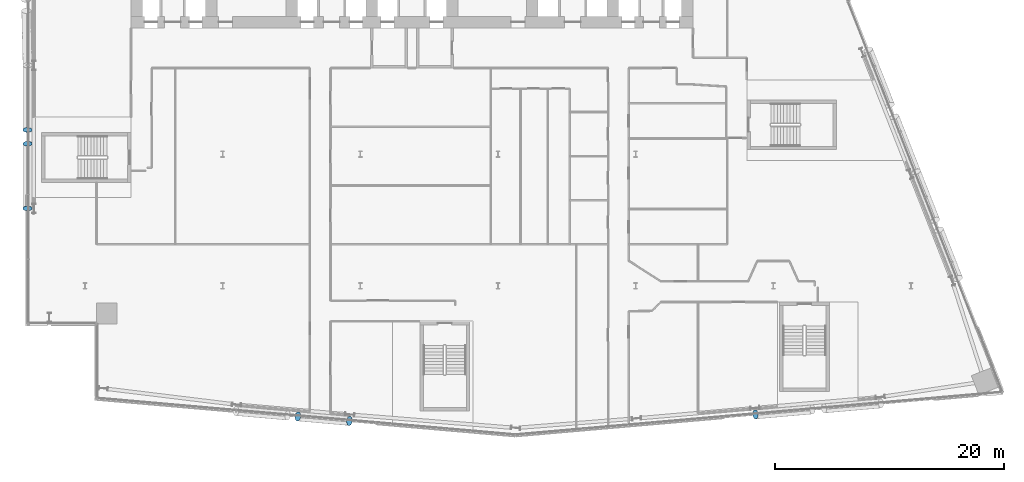
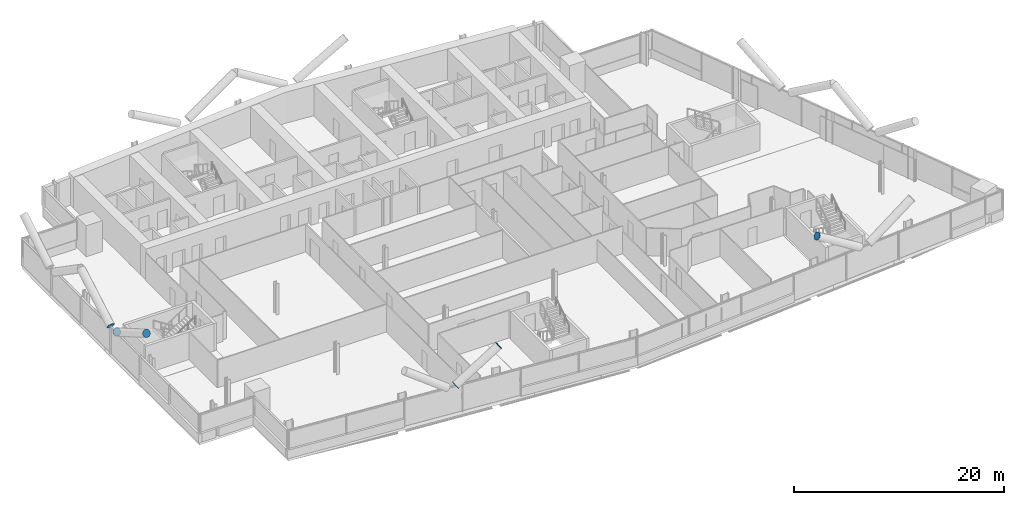
# One storey, part 21 of 27: 6 discrete accessories.
"""IFC4 building model written with IfcOpenShell, lengths in metres."""

from ifc_helpers import new_model, si_unit, direction, frame, origin, origin_2d, place, context, subcontext, project, spatial, circle, extrude, material, material_profile, profile_set, type_object, element, save


model = new_model("IFC4")

# Units and contexts
model_context = context("Model", 3, precision=1e-05, world=origin(), true_north=direction((0.0, 1.0)))
body_context = subcontext(model_context, "Body", "Model", "MODEL_VIEW")
ifc_project = project(units=[si_unit("LENGTHUNIT", "METRE"), si_unit("AREAUNIT", "SQUARE_METRE"), si_unit("VOLUMEUNIT", "CUBIC_METRE"), si_unit("PLANEANGLEUNIT", "RADIAN"), si_unit("MASSUNIT", "GRAM", prefix="KILO")], contexts=[model_context])

# Site, building, storey
site_placement = place(None, origin())
site = spatial("IfcSite", under=ifc_project, at=site_placement, CompositionType="ELEMENT")
building_placement = place(site_placement, origin())
building = spatial("IfcBuilding", under=site, at=building_placement, Name="Wharfspan Tower", CompositionType="ELEMENT")
storey_placement = place(building_placement, frame((0.0, 0.0, 111.100098)))
storey = spatial("IfcBuildingStorey", under=building, at=storey_placement, Name="L25", CompositionType="ELEMENT", Elevation=111.100098)

# Discrete accessories
ifc_material = material(Name="Steel S460NH", Category="steel")
ifc_material_profile = material_profile(ifc_material, circle(Radius=0.406494, at=origin_2d()))
ifc_profile_set = profile_set([ifc_material_profile], Name="Steel S460NH")
discrete_accessory_type = type_object("IfcDiscreteAccessoryType", Name="End plate CHS 813x40", PredefinedType="BRACKET", material=ifc_profile_set)
for number, where, z_axis, x_axis, name in (
    (1, (30.543457, 0.125244, 3.220947), (0.806559, -0.073324, 0.586588), (0.090536, 0.99589, 0.0), "End plate CHS 813x40"),
    (2, (35.040771, -0.268311, 6.5), (0.806559, -0.073324, 0.586588), (0.090536, 0.99589, 0.0), "End plate CHS 813x40"),
    (3, (70.452393, 0.299805, 6.5), (-0.837276, -0.073877, 0.541767), (0.087893, -0.996132, -1e-06), "End plate CHS 813x40"),
    (4, (6.985107, 23.902588, 3.244873), (0.0, -0.857493, 0.514496), (1.0, 0.0, 0.0), "End plate CHS 813x40"),
):
    element("IfcDiscreteAccessory", number, at=place(storey_placement, frame(where, z_axis=z_axis, x_axis=x_axis)), inside=storey, type_object=discrete_accessory_type, Name=name, PredefinedType="BRACKET", context=body_context, shape_type="SweptSolid", body=[
        extrude(circle(Radius=0.406494, at=origin_2d()), origin(), (0.0, 0.0, 1.0), 0.01001),
    ])
discrete_accessory_1_placement = place(storey_placement, frame((6.985107, 18.266602, 6.5), z_axis=(0.0, -0.868243, 0.496139), x_axis=(1.0, 0.0, 0.0)))
element("IfcDiscreteAccessory", 5, at=discrete_accessory_1_placement, inside=storey, type_object=discrete_accessory_type, Name="End plate CHS 813x40", PredefinedType="BRACKET", context=body_context, shape_type="SweptSolid", body=[
    extrude(circle(Radius=0.406494, at=origin_2d()), origin(), (0.0, 0.0, 1.0), 0.009766),
])
discrete_accessory_2_placement = place(storey_placement, frame((6.985107, 25.097412, 3.244873), z_axis=(0.0, 0.857493, 0.514496), x_axis=(-1.0, 0.0, 0.0)))
element("IfcDiscreteAccessory", 6, at=discrete_accessory_2_placement, inside=storey, type_object=discrete_accessory_type, Name="End plate CHS 813x40", PredefinedType="BRACKET", context=body_context, shape_type="SweptSolid", body=[
    extrude(circle(Radius=0.406494, at=origin_2d()), origin(), (0.0, 0.0, 1.0), 0.01001),
])

save(model, "model.ifc")
